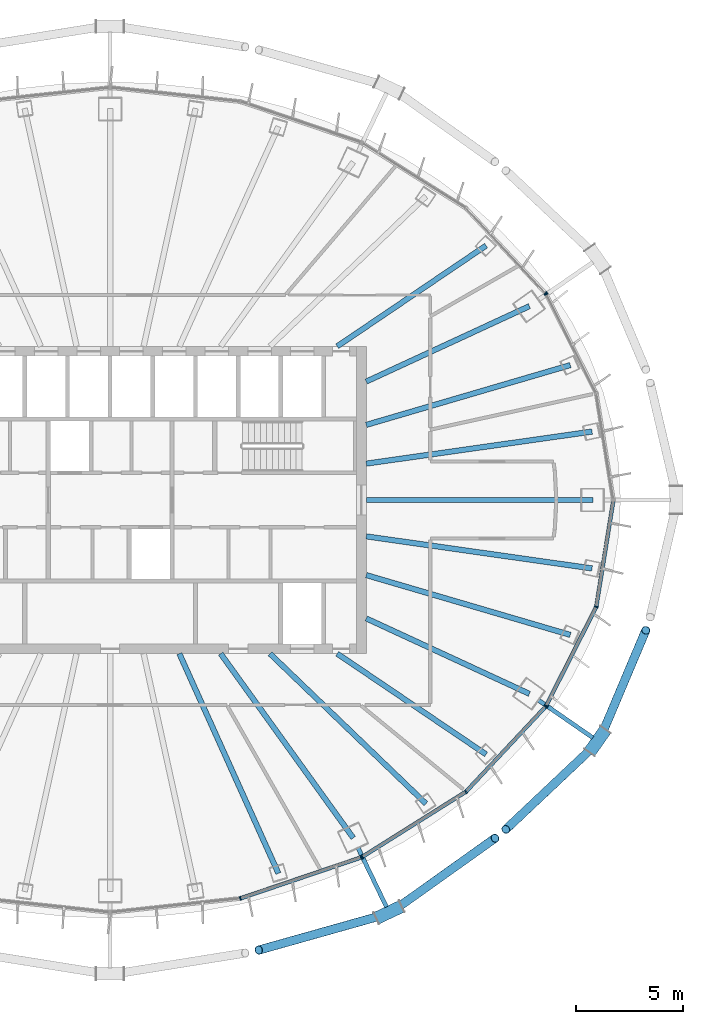
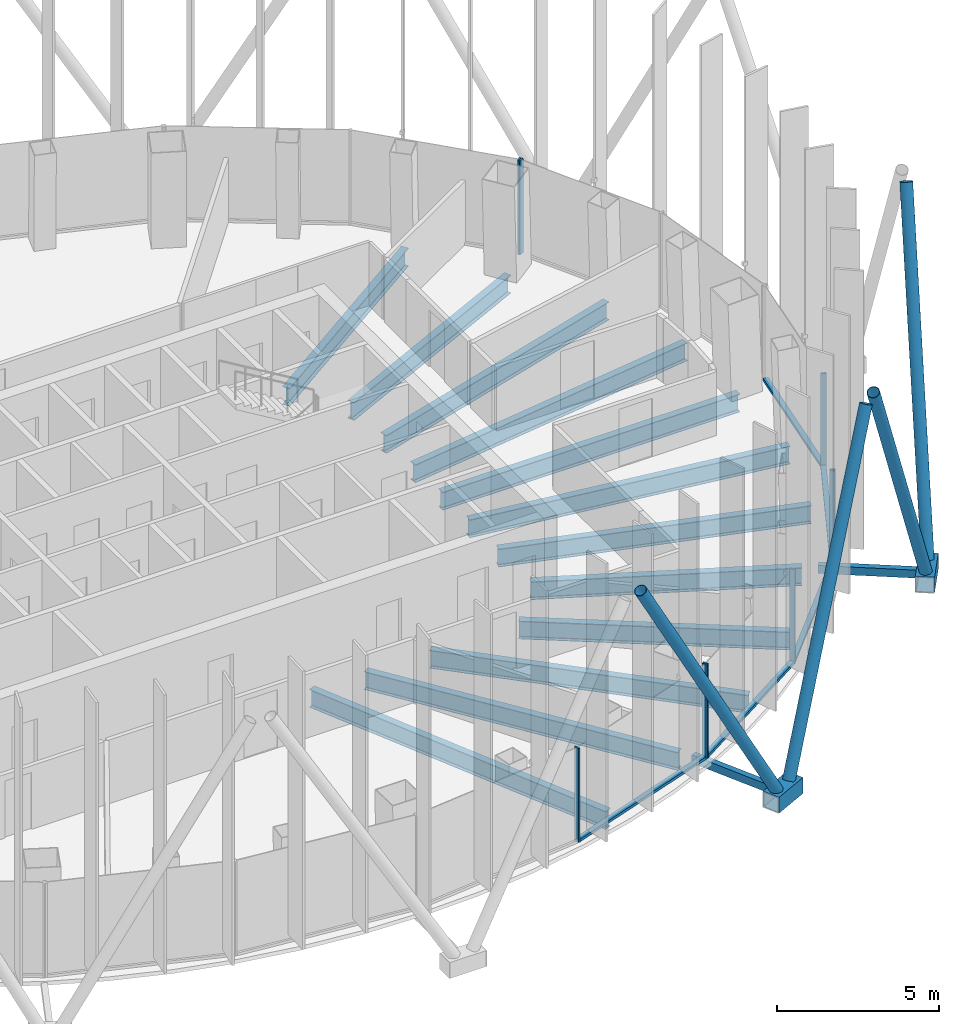
# One storey, part 4 of 19: 22 members, 12 beams, 5 elements without a shape of their own.
"""IFC4 building model written with IfcOpenShell, lengths in metres."""

from ifc_helpers import new_model, si_unit, direction, frame, origin, origin_2d, place, context, subcontext, project, spatial, rectangle, hollow_rectangle, hollow_circle, i_section, extrude, material, layer, layer_set, material_profile, profile_set, type_object, element, aggregate, save


model = new_model("IFC4")

# Units and contexts
model_context = context("Model", 3, precision=1e-05, world=origin(), true_north=direction((0.0, 1.0)))
body_context = subcontext(model_context, "Body", "Model", "MODEL_VIEW")
ifc_project = project(units=[si_unit("LENGTHUNIT", "METRE"), si_unit("AREAUNIT", "SQUARE_METRE"), si_unit("VOLUMEUNIT", "CUBIC_METRE"), si_unit("PLANEANGLEUNIT", "RADIAN"), si_unit("MASSUNIT", "GRAM", prefix="KILO")], contexts=[model_context])

# Site, building, storey
site_placement = place(None, origin())
site = spatial("IfcSite", under=ifc_project, at=site_placement, CompositionType="ELEMENT")
building_placement = place(site_placement, origin())
building = spatial("IfcBuilding", under=site, at=building_placement, Name="Siaravel Broadcast Tower", CompositionType="ELEMENT")
storey_placement = place(building_placement, frame((0.0, 0.0, 168.199951171875)))
storey = spatial("IfcBuildingStorey", under=building, at=storey_placement, Name="L40", CompositionType="ELEMENT", Elevation=168.199951171875)

# Beams
ifc_material_1 = material(Name="Steel S355", Category="steel")
ifc_material_profile_1 = material_profile(ifc_material_1, i_section(OverallWidth=0.2529296875, OverallDepth=0.677978515625, WebThickness=0.01171875, FlangeThickness=0.01611328125, FilletRadius=0.01513671875, at=origin_2d()))
ifc_profile_set_1 = profile_set([ifc_material_profile_1], Name="Steel S355")
beam_type = type_object("IfcBeamType", Name="BM-UB 686x254x125", PredefinedType="BEAM", material=ifc_profile_set_1)
beam_1_placement = place(storey_placement, frame((22.62060546875, 0.0, -0.489013671875), z_axis=(-1.0, 0.0, 0.0), x_axis=(0.0, -1.0, 0.0)))
element("IfcBeam", 1, at=beam_1_placement, inside=storey, type_object=beam_type, Name="Radial beam RB01", PredefinedType="BEAM", context=body_context, shape_type="SweptSolid", body=[
    extrude(i_section(OverallWidth=0.2529296875, OverallDepth=0.677978515625, WebThickness=0.01171875, FlangeThickness=0.01611328125, FilletRadius=0.01513671875, at=origin_2d()), origin(), (0.0, 0.0, 1.0), 10.62060546875),
])
beam_2_placement = place(storey_placement, frame((22.578369140625, 3.20556640625, -0.489013671875), z_axis=(-0.990070236, -0.140573567, 0.0), x_axis=(0.140573567, -0.990070236, 0.0)))
element("IfcBeam", 2, at=beam_2_placement, inside=storey, type_object=beam_type, Name="Radial beam RB02", PredefinedType="BEAM", context=body_context, shape_type="SweptSolid", body=[
    extrude(i_section(OverallWidth=0.2529296875, OverallDepth=0.677978515625, WebThickness=0.01171875, FlangeThickness=0.01611328125, FilletRadius=0.01513671875, at=origin_2d()), origin(), (0.0, 0.0, 1.0), 10.6845703125),
])
beam_3_placement = place(storey_placement, frame((21.55908203125, 6.320556640625, -0.489013671875), z_axis=(-0.959609837, -0.281334252, 0.0), x_axis=(0.281334252, -0.959609837, 0.0)))
element("IfcBeam", 3, at=beam_3_placement, inside=storey, type_object=beam_type, Name="Radial beam RB03", PredefinedType="BEAM", context=body_context, shape_type="SweptSolid", body=[
    extrude(i_section(OverallWidth=0.2529296875, OverallDepth=0.677978515625, WebThickness=0.01171875, FlangeThickness=0.01611328125, FilletRadius=0.01513671875, at=origin_2d()), origin(), (0.0, 0.0, 1.0), 9.96142578125),
])
beam_4_placement = place(storey_placement, frame((19.643798828125, 9.081298828125, -0.489013671875), z_axis=(-0.907697859, -0.419624351, 0.0), x_axis=(0.419624351, -0.907697859, 0.0)))
element("IfcBeam", 4, at=beam_4_placement, inside=storey, type_object=beam_type, Name="Radial beam RB04", PredefinedType="BEAM", context=body_context, shape_type="SweptSolid", body=[
    extrude(i_section(OverallWidth=0.2529296875, OverallDepth=0.677978515625, WebThickness=0.01171875, FlangeThickness=0.01611328125, FilletRadius=0.01513671875, at=origin_2d()), origin(), (0.0, 0.0, 1.0), 8.421142578125),
])
beam_5_placement = place(storey_placement, frame((17.6123046875, 11.9169921875, -0.489013671875), z_axis=(-0.828215309, -0.56041003, 0.0), x_axis=(0.56041003, -0.828215309, 0.0)))
element("IfcBeam", 5, at=beam_5_placement, inside=storey, type_object=beam_type, Name="Radial beam RB05", PredefinedType="BEAM", context=body_context, shape_type="SweptSolid", body=[
    extrude(i_section(OverallWidth=0.2529296875, OverallDepth=0.677978515625, WebThickness=0.01171875, FlangeThickness=0.01611328125, FilletRadius=0.01513671875, at=origin_2d()), origin(), (0.0, 0.0, 1.0), 8.417236328125),
])
beam_6_placement = place(storey_placement, frame((7.884521484375, -17.491455078125, -0.489013671875), z_axis=(-0.410952697, 0.911656668, 0.0), x_axis=(-0.911656668, -0.410952697, 0.0)))
element("IfcBeam", 6, at=beam_6_placement, inside=storey, type_object=beam_type, Name="Radial beam RB30", PredefinedType="BEAM", context=body_context, shape_type="SweptSolid", body=[
    extrude(i_section(OverallWidth=0.2529296875, OverallDepth=0.677978515625, WebThickness=0.01171875, FlangeThickness=0.01611328125, FilletRadius=0.01513671875, at=origin_2d()), origin(), (0.0, 0.0, 1.0), 11.288818359375),
])
beam_7_placement = place(storey_placement, frame((11.39013671875, -15.83251953125, -0.489013671875), z_axis=(-0.583995034, 0.81175723, 0.0), x_axis=(-0.81175723, -0.583995034, 0.0)))
element("IfcBeam", 7, at=beam_7_placement, inside=storey, type_object=beam_type, Name="Radial beam RB31", PredefinedType="BEAM", context=body_context, shape_type="SweptSolid", body=[
    extrude(i_section(OverallWidth=0.2529296875, OverallDepth=0.677978515625, WebThickness=0.01171875, FlangeThickness=0.01611328125, FilletRadius=0.01513671875, at=origin_2d()), origin(), (0.0, 0.0, 1.0), 10.634521484375),
])
beam_8_placement = place(storey_placement, frame((14.794189453125, -14.224853515625, -0.489013671875), z_axis=(-0.720833528, 0.693108235, 0.0), x_axis=(-0.693108235, -0.720833528, 0.0)))
element("IfcBeam", 8, at=beam_8_placement, inside=storey, type_object=beam_type, Name="Radial beam RB32", PredefinedType="BEAM", context=body_context, shape_type="SweptSolid", body=[
    extrude(i_section(OverallWidth=0.2529296875, OverallDepth=0.677978515625, WebThickness=0.01171875, FlangeThickness=0.01611328125, FilletRadius=0.01513671875, at=origin_2d()), origin(), (0.0, 0.0, 1.0), 10.13525390625),
])
beam_9_placement = place(storey_placement, frame((17.6123046875, -11.9169921875, -0.489013671875), z_axis=(-0.828215309, 0.56041003, 0.0), x_axis=(-0.56041003, -0.828215309, 0.0)))
element("IfcBeam", 9, at=beam_9_placement, inside=storey, type_object=beam_type, Name="Radial beam RB33", PredefinedType="BEAM", context=body_context, shape_type="SweptSolid", body=[
    extrude(i_section(OverallWidth=0.2529296875, OverallDepth=0.677978515625, WebThickness=0.01171875, FlangeThickness=0.01611328125, FilletRadius=0.01513671875, at=origin_2d()), origin(), (0.0, 0.0, 1.0), 8.417236328125),
])
beam_10_placement = place(storey_placement, frame((19.643798828125, -9.081298828125, -0.489013671875), z_axis=(-0.907697859, 0.419624351, 0.0), x_axis=(-0.419624351, -0.907697859, 0.0)))
element("IfcBeam", 10, at=beam_10_placement, inside=storey, type_object=beam_type, Name="Radial beam RB34", PredefinedType="BEAM", context=body_context, shape_type="SweptSolid", body=[
    extrude(i_section(OverallWidth=0.2529296875, OverallDepth=0.677978515625, WebThickness=0.01171875, FlangeThickness=0.01611328125, FilletRadius=0.01513671875, at=origin_2d()), origin(), (0.0, 0.0, 1.0), 8.421142578125),
])
beam_11_placement = place(storey_placement, frame((21.55908203125, -6.320556640625, -0.489013671875), z_axis=(-0.959609837, 0.281334252, 0.0), x_axis=(-0.281334252, -0.959609837, 0.0)))
element("IfcBeam", 11, at=beam_11_placement, inside=storey, type_object=beam_type, Name="Radial beam RB35", PredefinedType="BEAM", context=body_context, shape_type="SweptSolid", body=[
    extrude(i_section(OverallWidth=0.2529296875, OverallDepth=0.677978515625, WebThickness=0.01171875, FlangeThickness=0.01611328125, FilletRadius=0.01513671875, at=origin_2d()), origin(), (0.0, 0.0, 1.0), 9.96142578125),
])
beam_12_placement = place(storey_placement, frame((22.578369140625, -3.20556640625, -0.489013671875), z_axis=(-0.990070236, 0.140573567, 0.0), x_axis=(-0.140573567, -0.990070236, 0.0)))
element("IfcBeam", 12, at=beam_12_placement, inside=storey, type_object=beam_type, Name="Radial beam RB36", PredefinedType="BEAM", context=body_context, shape_type="SweptSolid", body=[
    extrude(i_section(OverallWidth=0.2529296875, OverallDepth=0.677978515625, WebThickness=0.01171875, FlangeThickness=0.01611328125, FilletRadius=0.01513671875, at=origin_2d()), origin(), (0.0, 0.0, 1.0), 10.6845703125),
])

# Curtain wall, member
ifc_material_2 = material(Name="Aluminium 6063-T6", Category="aluminium")
ifc_layer = layer(ifc_material_2, 0.179931640625)
ifc_layer_set = layer_set([ifc_layer], Name="Aluminium 6063-T6")
curtain_wall_type = type_object("IfcCurtainWallType", Name="Unitised curtain wall, zone 3", PredefinedType="NOTDEFINED", material=ifc_layer_set)
curtain_wall_1_placement = place(storey_placement, origin())
curtain_wall_1 = element("IfcCurtainWall", 13, at=curtain_wall_1_placement, inside=storey, type_object=curtain_wall_type, Name="L40 Unitised curtain wall, zone 3 01", PredefinedType="NOTDEFINED")
ifc_material_profile_2 = material_profile(ifc_material_2, rectangle(XDim=0.179931640625, YDim=0.06005859375, at=origin_2d()))
ifc_profile_set_2 = profile_set([ifc_material_profile_2], Name="Aluminium 6063-T6")
member_type_1 = type_object("IfcMemberType", Name="CW-Z3 mullion", PredefinedType="MULLION", material=ifc_profile_set_2)
member_1_placement = place(storey_placement, frame((20.430908203125, 9.63818359375, 0.0), z_axis=(0.0, 0.0, 1.0), x_axis=(-0.892391915, -0.4512612, 0.0)))
member_1 = element("IfcMember", 14, at=member_1_placement, type_object=member_type_1, Name="CW-Z3 mullion 3", PredefinedType="MULLION", context=body_context, shape_type="SweptSolid", body=[
    extrude(rectangle(XDim=0.179931640625, YDim=0.06005859375, at=origin_2d()), origin(), (0.0, 0.0, 1.0), 3.550048828125),
])
aggregate(curtain_wall_1, [member_1])

curtain_wall_2_placement = place(storey_placement, origin())
curtain_wall_2 = element("IfcCurtainWall", 15, at=curtain_wall_2_placement, inside=storey, type_object=curtain_wall_type, Name="L40 Unitised curtain wall, zone 3 02", PredefinedType="NOTDEFINED")
member_2_placement = place(storey_placement, frame((20.396728515625, 9.68701171875, 0.0), z_axis=(0.0, 0.0, 1.0), x_axis=(-0.729804878, -0.683655498, 0.0)))
member_2 = element("IfcMember", 16, at=member_2_placement, type_object=member_type_1, Name="CW-Z3 mullion 1", PredefinedType="MULLION", context=body_context, shape_type="SweptSolid", body=[
    extrude(rectangle(XDim=0.179931640625, YDim=0.06005859375, at=origin_2d()), origin(), (0.0, 0.0, 1.0), 3.550048828125),
])
aggregate(curtain_wall_2, [member_2])

# Curtain wall, members
curtain_wall_3_placement = place(storey_placement, origin())
curtain_wall_3 = element("IfcCurtainWall", 17, at=curtain_wall_3_placement, inside=storey, type_object=curtain_wall_type, Name="L40 Unitised curtain wall, zone 3 10", PredefinedType="NOTDEFINED")
member_3_placement = place(storey_placement, frame((6.100341796875, -18.664794921875, 0.0), z_axis=(0.0, 0.0, 1.0), x_axis=(-0.215557831, 0.976491076, 0.0)))
member_3 = element("IfcMember", 18, at=member_3_placement, type_object=member_type_1, Name="CW-Z3 mullion 2", PredefinedType="MULLION", context=body_context, shape_type="SweptSolid", body=[
    extrude(rectangle(XDim=0.179931640625, YDim=0.06005859375, at=origin_2d()), origin(), (0.0, 0.0, 1.0), 3.550048828125),
])
member_4_placement = place(storey_placement, frame((11.75732421875, -16.745361328125, 0.0), z_axis=(0.0, 0.0, 1.0), x_axis=(-0.321300283, 0.946977364, 0.0)))
member_4 = element("IfcMember", 19, at=member_4_placement, type_object=member_type_1, Name="CW-Z3 mullion 3", PredefinedType="MULLION", context=body_context, shape_type="SweptSolid", body=[
    extrude(rectangle(XDim=0.179931640625, YDim=0.06005859375, at=origin_2d()), origin(), (0.0, 0.0, 1.0), 3.550048828125),
])

curtain_wall_4_placement = place(storey_placement, origin())
curtain_wall_4 = element("IfcCurtainWall", 20, at=curtain_wall_4_placement, inside=storey, type_object=curtain_wall_type, Name="L40 Unitised curtain wall, zone 3 11", PredefinedType="NOTDEFINED")
member_5_placement = place(storey_placement, frame((11.81103515625, -16.7197265625, 0.0), z_axis=(0.0, 0.0, 1.0), x_axis=(-0.532148789, 0.846650852, 0.0)))
member_5 = element("IfcMember", 21, at=member_5_placement, type_object=member_type_1, Name="CW-Z3 mullion 1", PredefinedType="MULLION", context=body_context, shape_type="SweptSolid", body=[
    extrude(rectangle(XDim=0.179931640625, YDim=0.06005859375, at=origin_2d()), origin(), (0.0, 0.0, 1.0), 3.550048828125),
])
member_6_placement = place(storey_placement, frame((16.6689453125, -13.66650390625, 0.0), z_axis=(0.0, 0.0, 1.0), x_axis=(-0.63621823, 0.771509147, 0.0)))
member_6 = element("IfcMember", 22, at=member_6_placement, type_object=member_type_1, Name="CW-Z3 mullion 2", PredefinedType="MULLION", context=body_context, shape_type="SweptSolid", body=[
    extrude(rectangle(XDim=0.179931640625, YDim=0.06005859375, at=origin_2d()), origin(), (0.0, 0.0, 1.0), 3.550048828125),
])
member_7_placement = place(storey_placement, frame((20.396728515625, -9.68701171875, 0.0), z_axis=(0.0, 0.0, 1.0), x_axis=(-0.729804878, 0.683655498, 0.0)))
member_7 = element("IfcMember", 23, at=member_7_placement, type_object=member_type_1, Name="CW-Z3 mullion 3", PredefinedType="MULLION", context=body_context, shape_type="SweptSolid", body=[
    extrude(rectangle(XDim=0.179931640625, YDim=0.06005859375, at=origin_2d()), origin(), (0.0, 0.0, 1.0), 3.550048828125),
])

curtain_wall_5_placement = place(storey_placement, origin())
curtain_wall_5 = element("IfcCurtainWall", 24, at=curtain_wall_5_placement, inside=storey, type_object=curtain_wall_type, Name="L40 Unitised curtain wall, zone 3 12", PredefinedType="NOTDEFINED")
member_8_placement = place(storey_placement, frame((20.430908203125, -9.63818359375, 0.0), z_axis=(0.0, 0.0, 1.0), x_axis=(-0.892391915, 0.4512612, 0.0)))
member_8 = element("IfcMember", 25, at=member_8_placement, type_object=member_type_1, Name="CW-Z3 mullion 1", PredefinedType="MULLION", context=body_context, shape_type="SweptSolid", body=[
    extrude(rectangle(XDim=0.179931640625, YDim=0.06005859375, at=origin_2d()), origin(), (0.0, 0.0, 1.0), 3.550048828125),
])
member_9_placement = place(storey_placement, frame((22.7744140625, -5.003662109375, 0.0), z_axis=(0.0, 0.0, 1.0), x_axis=(-0.951177137, 0.308645515, 0.0)))
member_9 = element("IfcMember", 26, at=member_9_placement, type_object=member_type_1, Name="CW-Z3 mullion 2", PredefinedType="MULLION", context=body_context, shape_type="SweptSolid", body=[
    extrude(rectangle(XDim=0.179931640625, YDim=0.06005859375, at=origin_2d()), origin(), (0.0, 0.0, 1.0), 3.550048828125),
])

# Member
ifc_material_profile_3 = material_profile(ifc_material_2, rectangle(XDim=0.179931640625, YDim=0.10009765625, at=origin_2d()))
ifc_profile_set_3 = profile_set([ifc_material_profile_3], Name="Aluminium 6063-T6")
member_type_2 = type_object("IfcMemberType", Name="CW-Z3 transom", PredefinedType="USERDEFINED", material=ifc_profile_set_3)
member_10_placement = place(storey_placement, frame((6.12890625, -18.655029296875, 0.050048828125), z_axis=(0.946972868, 0.321313534, 0.0), x_axis=(-0.321313534, 0.946972868, 0.0)))
member_10 = element("IfcMember", 27, at=member_10_placement, type_object=member_type_2, Name="CW-Z3 transom 2", ObjectType="TRANSOM", PredefinedType="USERDEFINED", context=body_context, shape_type="SweptSolid", body=[
    extrude(rectangle(XDim=0.179931640625, YDim=0.10009765625, at=origin_2d()), origin(), (0.0, 0.0, 1.0), 5.91357421875),
])

aggregate(curtain_wall_3, [member_3, member_4, member_10])

member_11_placement = place(storey_placement, frame((11.83642578125, -16.703857421875, 0.050048828125), z_axis=(0.84664762, 0.532153933, 0.0), x_axis=(-0.532153933, 0.84664762, 0.0)))
member_11 = element("IfcMember", 28, at=member_11_placement, type_object=member_type_2, Name="CW-Z3 transom 1", ObjectType="TRANSOM", PredefinedType="USERDEFINED", context=body_context, shape_type="SweptSolid", body=[
    extrude(rectangle(XDim=0.179931640625, YDim=0.10009765625, at=origin_2d()), origin(), (0.0, 0.0, 1.0), 5.677734375),
])

member_12_placement = place(storey_placement, frame((16.689453125, -13.64453125, 0.050048828125), z_axis=(0.683663984, 0.729796929, 0.0), x_axis=(-0.729796929, 0.683663984, 0.0)))
member_12 = element("IfcMember", 29, at=member_12_placement, type_object=member_type_2, Name="CW-Z3 transom 2", ObjectType="TRANSOM", PredefinedType="USERDEFINED", context=body_context, shape_type="SweptSolid", body=[
    extrude(rectangle(XDim=0.179931640625, YDim=0.10009765625, at=origin_2d()), origin(), (0.0, 0.0, 1.0), 5.392578125),
])

aggregate(curtain_wall_4, [member_5, member_6, member_7, member_11, member_12])

member_13_placement = place(storey_placement, frame((20.4443359375, -9.611572265625, 0.050048828125), z_axis=(0.451279947, 0.892382435, 0.0), x_axis=(-0.892382435, 0.451279947, 0.0)))
member_13 = element("IfcMember", 30, at=member_13_placement, type_object=member_type_2, Name="CW-Z3 transom 1", ObjectType="TRANSOM", PredefinedType="USERDEFINED", context=body_context, shape_type="SweptSolid", body=[
    extrude(rectangle(XDim=0.179931640625, YDim=0.10009765625, at=origin_2d()), origin(), (0.0, 0.0, 1.0), 5.133544921875),
])

member_14_placement = place(storey_placement, frame((22.779296875, -4.97412109375, 0.050048828125), z_axis=(0.158654191, 0.987334213, 0.0), x_axis=(-0.987334213, 0.158654191, 0.0)))
member_14 = element("IfcMember", 31, at=member_14_placement, type_object=member_type_2, Name="CW-Z3 transom 2", ObjectType="TRANSOM", PredefinedType="USERDEFINED", context=body_context, shape_type="SweptSolid", body=[
    extrude(rectangle(XDim=0.179931640625, YDim=0.10009765625, at=origin_2d()), origin(), (0.0, 0.0, 1.0), 4.97802734375),
])

aggregate(curtain_wall_5, [member_8, member_9, member_13, member_14])

# Members
ifc_material_3 = material(Name="Steel S460", Category="steel")
ifc_material_profile_4 = material_profile(ifc_material_3, hollow_circle(Radius=0.203125, WallThickness=0.01611328125, at=origin_2d()))
ifc_profile_set_4 = profile_set([ifc_material_profile_4], Name="Steel S460")
member_type_3 = type_object("IfcMemberType", Name="Diagrid diagonal CHS 406.4x16", PredefinedType="BRACE", material=ifc_profile_set_4)
member_15_placement = place(storey_placement, frame((12.775390625, -19.451904296875, 0.070068359375), z_axis=(-0.477816118, -0.134351287, 0.868125273), x_axis=(0.270681171, -0.962669052, 0.0)))
element("IfcMember", 32, at=member_15_placement, inside=storey, type_object=member_type_3, Name="Diagrid diagonal R17 station 60C", PredefinedType="BRACE", context=body_context, shape_type="SweptSolid", body=[
    extrude(hollow_circle(Radius=0.203125, WallThickness=0.01611328125, at=origin_2d()), origin(), (0.0, 0.0, 1.0), 12.164306640625),
])
member_16_placement = place(storey_placement, frame((13.3603515625, -19.17529296875, 0.070068359375), z_axis=(0.388888457, 0.277147773, 0.878609629), x_axis=(-0.580364716, 0.814356676, 0.0)))
element("IfcMember", 33, at=member_16_placement, inside=storey, type_object=member_type_3, Name="Diagrid diagonal R17 station 60A", PredefinedType="BRACE", context=body_context, shape_type="SweptSolid", body=[
    extrude(hollow_circle(Radius=0.203125, WallThickness=0.01611328125, at=origin_2d()), origin(), (0.0, 0.0, 1.0), 12.01904296875),
])
member_17_placement = place(storey_placement, frame((22.647705078125, -11.555908203125, 0.070068359375), z_axis=(-0.343347075, -0.323779655, 0.881634573), x_axis=(0.68607166, -0.72753397, 0.0)))
element("IfcMember", 34, at=member_17_placement, inside=storey, type_object=member_type_3, Name="Diagrid diagonal R17 station 66C", PredefinedType="BRACE", context=body_context, shape_type="SweptSolid", body=[
    extrude(hollow_circle(Radius=0.203125, WallThickness=0.01611328125, at=origin_2d()), origin(), (0.0, 0.0, 1.0), 11.977783203125),
])
member_18_placement = place(storey_placement, frame((23.0205078125, -11.027099609375, 0.070068359375), z_axis=(0.175489566, 0.415980615, 0.892279967), x_axis=(-0.921365951, 0.388696263, 0.0)))
element("IfcMember", 35, at=member_18_placement, inside=storey, type_object=member_type_3, Name="Diagrid diagonal R17 station 66A", PredefinedType="BRACE", context=body_context, shape_type="SweptSolid", body=[
    extrude(hollow_circle(Radius=0.203125, WallThickness=0.01611328125, at=origin_2d()), origin(), (0.0, 0.0, 1.0), 11.8349609375),
])
ifc_material_profile_5 = material_profile(ifc_material_3, hollow_rectangle(XDim=0.60009765625, YDim=0.60009765625, WallThickness=0.031982421875, at=origin_2d()))
ifc_profile_set_5 = profile_set([ifc_material_profile_5], Name="Steel S460")
member_type_4 = type_object("IfcMemberType", Name="Diagrid node BOX 600x600x32", PredefinedType="USERDEFINED", material=ifc_profile_set_5)
for number, where, z_axis, x_axis, name in (
    (36, (12.4833984375, -19.590087890625, -0.199951171875), (0.903991359, 0.427550726, 0.0), (-0.427550726, 0.903991359, 0.0), "Diagrid node R17 station 60"),
    (37, (22.461669921875, -11.8203125, -0.199951171875), (0.576030928, 0.817427899, 0.0), (-0.817427899, 0.576030928, 0.0), "Diagrid node R17 station 66"),
):
    element("IfcMember", number, at=place(storey_placement, frame(where, z_axis=z_axis, x_axis=x_axis)), inside=storey, type_object=member_type_4, Name=name, ObjectType="DIAGRID NODE", PredefinedType="USERDEFINED", context=body_context, shape_type="SweptSolid", body=[
        extrude(hollow_rectangle(XDim=0.60009765625, YDim=0.60009765625, WallThickness=0.031982421875, at=origin_2d()), origin(), (0.0, 0.0, 1.0), 1.29345703125),
    ])
ifc_material_profile_6 = material_profile(ifc_material_3, hollow_rectangle(XDim=0.199951171875, YDim=0.300048828125, WallThickness=0.012451171875, at=origin_2d()))
ifc_profile_set_6 = profile_set([ifc_material_profile_6], Name="Steel S460")
member_type_5 = type_object("IfcMemberType", Name="Diagrid node arm RHS 300x200x12.5", PredefinedType="STRUT", material=ifc_profile_set_6)
member_19_placement = place(storey_placement, frame((11.615966796875, -16.30078125, -0.199951171875), z_axis=(0.434142698, -0.900844114, 0.0), x_axis=(0.900844114, 0.434142698, 0.0)))
element("IfcMember", 38, at=member_19_placement, inside=storey, type_object=member_type_5, Name="Node arm R17 station 60", PredefinedType="STRUT", context=body_context, shape_type="SweptSolid", body=[
    extrude(hollow_rectangle(XDim=0.199951171875, YDim=0.300048828125, WallThickness=0.012451171875, at=origin_2d()), origin(), (0.0, 0.0, 1.0), 3.074462890625),
])
member_20_placement = place(storey_placement, frame((20.071044921875, -9.377197265625, -0.199951171875), z_axis=(0.822015888, -0.569464556, 0.0), x_axis=(0.569464556, 0.822015888, 0.0)))
element("IfcMember", 39, at=member_20_placement, inside=storey, type_object=member_type_5, Name="Node arm R17 station 66", PredefinedType="STRUT", context=body_context, shape_type="SweptSolid", body=[
    extrude(hollow_rectangle(XDim=0.199951171875, YDim=0.300048828125, WallThickness=0.012451171875, at=origin_2d()), origin(), (0.0, 0.0, 1.0), 3.091552734375),
])

save(model, "model.ifc")
